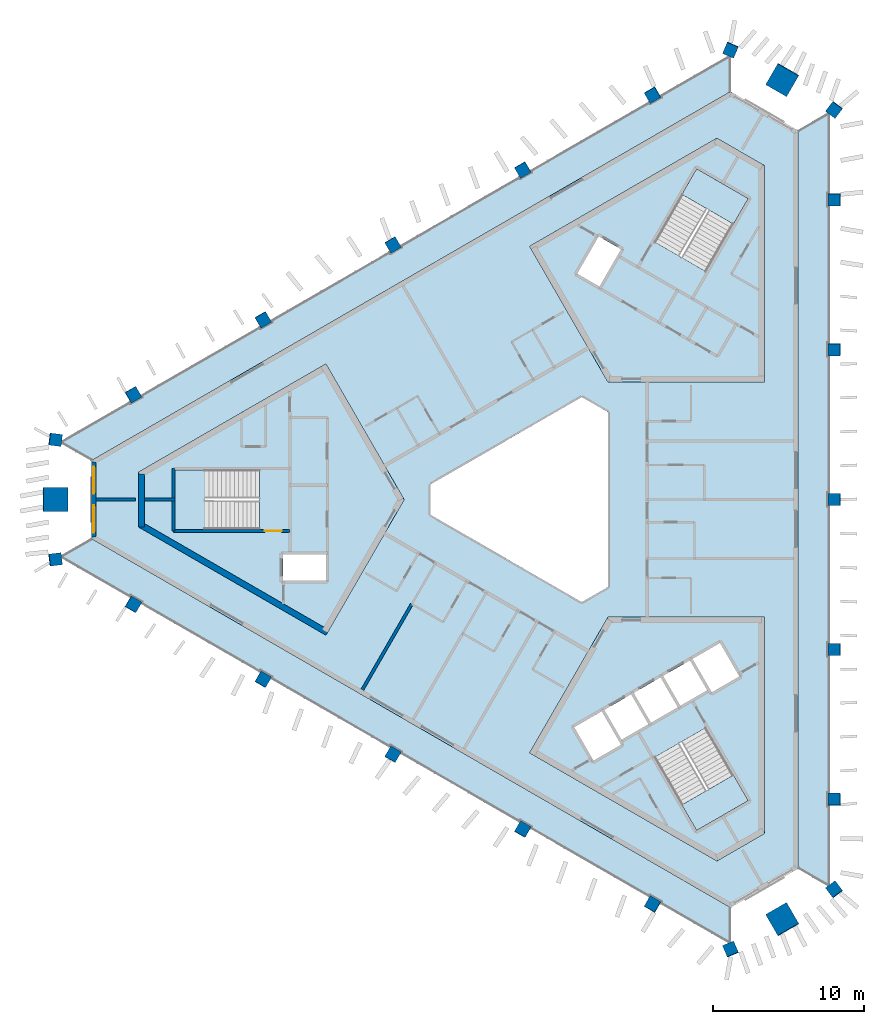
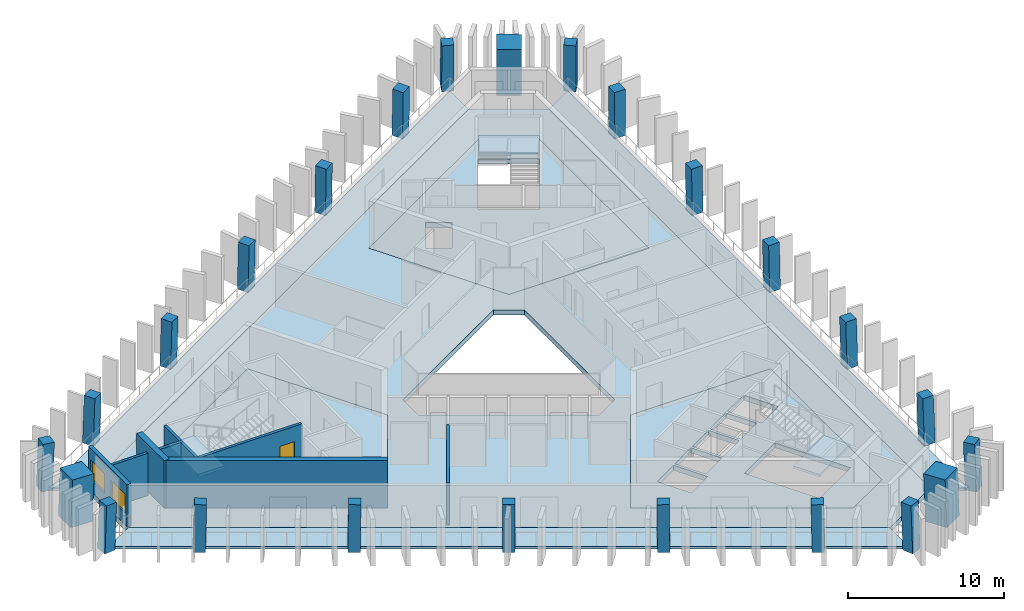
# One storey, part 1 of 10: 24 columns, 10 slabs, 8 walls, 2 windows, 1 door, 3 openings, 3 elements without a shape of their own.
"""IFC4 building model written with IfcOpenShell, lengths in metres."""

from ifc_helpers import new_model, si_unit, direction, frame, frame_2d, origin, origin_2d, place, context, subcontext, project, spatial, polyline, rectangle, outline, extrude, material, layer, layer_set, material_profile, profile_set, type_object, element, fill, aggregate, save


model = new_model("IFC4")

# Units and contexts
model_context = context("Model", 3, precision=1e-05, world=origin(), true_north=direction((0.0, 1.0)))
body_context = subcontext(model_context, "Body", "Model", "MODEL_VIEW")
ifc_project = project(units=[si_unit("LENGTHUNIT", "METRE"), si_unit("AREAUNIT", "SQUARE_METRE"), si_unit("VOLUMEUNIT", "CUBIC_METRE"), si_unit("PLANEANGLEUNIT", "RADIAN"), si_unit("MASSUNIT", "GRAM", prefix="KILO")], contexts=[model_context])

# Site, building, storey
site_placement = place(None, origin())
site = spatial("IfcSite", under=ifc_project, at=site_placement, CompositionType="ELEMENT")
building_placement = place(site_placement, origin())
building = spatial("IfcBuilding", under=site, at=building_placement, Name="Jabali Bay Hotel Tower and Convention Centre", CompositionType="ELEMENT")
storey_placement = place(building_placement, frame((0.0, 0.0, 255.300048828125)))
storey = spatial("IfcBuildingStorey", under=building, at=storey_placement, Name="L62", CompositionType="ELEMENT", Elevation=255.300048828125)

# Columns
ifc_material_1 = material(Name="Concrete C60", Category="concrete")
ifc_material_profile_1 = material_profile(ifc_material_1, rectangle(XDim=0.800048828125, YDim=0.800048828125, at=origin_2d()), Name="Frame column 800")
ifc_profile_set_1 = profile_set([ifc_material_profile_1], Name="Concrete C60")
column_type_1 = type_object("IfcColumnType", Name="Frame column 800", PredefinedType="COLUMN", material=ifc_profile_set_1)
column_1_placement = place(storey_placement, frame((82.461181640625, 106.825927734375, 0.0), z_axis=(-0.00837646992, -0.028097450282, 0.999570091609), x_axis=(0.866172944967, 0.499290516463, 0.0212934163)))
element("IfcColumn", 1, at=column_1_placement, inside=storey, type_object=column_type_1, Name="FC6 F1.1 L62", PredefinedType="COLUMN", context=body_context, shape_type="SweptSolid", body=[
    extrude(rectangle(XDim=0.800048828125, YDim=0.800048828125, at=origin_2d()), origin(), (0.0, 0.0, 1.0), 3.70166015625),
])
column_2_placement = place(storey_placement, frame((73.855224609375, 101.857421875, 0.0), z_axis=(0.000857578916, -0.022824792675, 0.999739112668), x_axis=(0.866060219769, 0.499825848733, 0.01066848966)))
element("IfcColumn", 2, at=column_2_placement, inside=storey, type_object=column_type_1, Name="FC6 F1.2 L62", PredefinedType="COLUMN", context=body_context, shape_type="SweptSolid", body=[
    extrude(rectangle(XDim=0.800048828125, YDim=0.800048828125, at=origin_2d()), origin(), (0.0, 0.0, 1.0), 3.700927734375),
])
column_3_placement = place(storey_placement, frame((65.249267578125, 96.888671875, 0.0), z_axis=(0.010093620709, -0.017482414954, 0.999796221231), x_axis=(0.86601685016, 0.500014815019, 2.20911e-07)))
element("IfcColumn", 3, at=column_3_placement, inside=storey, type_object=column_type_1, Name="FC6 F1.3 L62", PredefinedType="COLUMN", context=body_context, shape_type="SweptSolid", body=[
    extrude(rectangle(XDim=0.800048828125, YDim=0.800048828125, at=origin_2d()), origin(), (0.0, 0.0, 1.0), 3.70068359375),
])
column_4_placement = place(storey_placement, frame((56.643310546875, 91.920166015625, 0.0), z_axis=(0.019328516974, -0.012138044789, 0.999739504221), x_axis=(-0.500205614953, 0.865671455024, 0.020181048691)))
element("IfcColumn", 4, at=column_4_placement, inside=storey, type_object=column_type_1, Name="FC6 F1.4 L62", PredefinedType="COLUMN", context=body_context, shape_type="SweptSolid", body=[
    extrude(rectangle(XDim=0.800048828125, YDim=0.800048828125, at=origin_2d()), origin(), (0.0, 0.0, 1.0), 3.700927734375),
])
for number, where, z_axis, x_axis, name in (
    (5, (48.037353515625, 86.951416015625, 0.0), (0.02855911485, -0.006793507689, 0.999569019734), (-0.500407643461, 0.865554709988, 0.020180049142), "FC6 F1.5 L62"),
    (6, (48.037353515625, 73.048583984375, 0.0), (0.02855911485, 0.006793507689, 0.999569019734), (-0.865318766308, 0.500768301983, 0.021319953197), "FC6 F2.1 L62"),
):
    element("IfcColumn", number, at=place(storey_placement, frame(where, z_axis=z_axis, x_axis=x_axis)), inside=storey, type_object=column_type_1, Name=name, PredefinedType="COLUMN", context=body_context, shape_type="SweptSolid", body=[
        extrude(rectangle(XDim=0.800048828125, YDim=0.800048828125, at=origin_2d()), origin(), (0.0, 0.0, 1.0), 3.70166015625),
    ])
column_5_placement = place(storey_placement, frame((56.643310546875, 68.079833984375, 0.0), z_axis=(0.019328516974, 0.012138044789, 0.999739504221), x_axis=(-0.865690909737, 0.500465383244, 0.010660627254)))
element("IfcColumn", 7, at=column_5_placement, inside=storey, type_object=column_type_1, Name="FC6 F2.2 L62", PredefinedType="COLUMN", context=body_context, shape_type="SweptSolid", body=[
    extrude(rectangle(XDim=0.800048828125, YDim=0.800048828125, at=origin_2d()), origin(), (0.0, 0.0, 1.0), 3.700927734375),
])
column_6_placement = place(storey_placement, frame((65.249267578125, 63.111328125, 0.0), z_axis=(0.010093620709, 0.017482414954, 0.999796221231), x_axis=(-0.499912926478, -0.865840372083, 0.020187025823)))
element("IfcColumn", 8, at=column_6_placement, inside=storey, type_object=column_type_1, Name="FC6 F2.3 L62", PredefinedType="COLUMN", context=body_context, shape_type="SweptSolid", body=[
    extrude(rectangle(XDim=0.800048828125, YDim=0.800048828125, at=origin_2d()), origin(), (0.0, 0.0, 1.0), 3.70068359375),
])
column_7_placement = place(storey_placement, frame((73.855224609375, 58.142578125, 0.0), z_axis=(0.000857578916, 0.022824792675, 0.999739112668), x_axis=(-0.499938956565, -0.865825126557, 0.020196285069)))
element("IfcColumn", 9, at=column_7_placement, inside=storey, type_object=column_type_1, Name="FC6 F2.4 L62", PredefinedType="COLUMN", context=body_context, shape_type="SweptSolid", body=[
    extrude(rectangle(XDim=0.800048828125, YDim=0.800048828125, at=origin_2d()), origin(), (0.0, 0.0, 1.0), 3.700927734375),
])
for number, where, z_axis, x_axis, name in (
    (10, (82.461181640625, 53.174072265625, 0.0), (-0.00837646992, 0.028097450282, 0.999570091609), (-0.499674157986, -0.865978933611, 0.020154959265), "FC6 F2.5 L62"),
    (11, (94.50146484375, 60.12548828125, 0.0), (-0.020182659751, 0.021303918626, 0.999569308901), (0.000228267203, -0.99977282903, 0.021312865295), "FC6 F0.1 L62"),
):
    element("IfcColumn", number, at=place(storey_placement, frame(where, z_axis=z_axis, x_axis=x_axis)), inside=storey, type_object=column_type_1, Name=name, PredefinedType="COLUMN", context=body_context, shape_type="SweptSolid", body=[
        extrude(rectangle(XDim=0.800048828125, YDim=0.800048828125, at=origin_2d()), origin(), (0.0, 0.0, 1.0), 3.70166015625),
    ])
column_8_placement = place(storey_placement, frame((94.50146484375, 70.062744140625, 0.0), z_axis=(-0.020186102726, 0.010620792611, 0.999739826165), x_axis=(0.001532768534, -0.999942070948, 0.010653889845)))
element("IfcColumn", 12, at=column_8_placement, inside=storey, type_object=column_type_1, Name="FC6 F0.2 L62", PredefinedType="COLUMN", context=body_context, shape_type="SweptSolid", body=[
    extrude(rectangle(XDim=0.800048828125, YDim=0.800048828125, at=origin_2d()), origin(), (0.0, 0.0, 1.0), 3.700927734375),
])
column_9_placement = place(storey_placement, frame((94.50146484375, 80.0, 0.0), z_axis=(-0.020187241331, 0.0, 0.99979621688), x_axis=(0.0, -1.0, 0.0)))
element("IfcColumn", 13, at=column_9_placement, inside=storey, type_object=column_type_1, Name="FC6 F0.3 L62", PredefinedType="COLUMN", context=body_context, shape_type="SweptSolid", body=[
    extrude(rectangle(XDim=0.800048828125, YDim=0.800048828125, at=origin_2d()), origin(), (0.0, 0.0, 1.0), 3.70068359375),
])
column_10_placement = place(storey_placement, frame((94.50146484375, 89.937255859375, 0.0), z_axis=(-0.020186102726, -0.010620792611, 0.999739826165), x_axis=(0.999795064939, -0.001747430263, 0.020168654147)))
element("IfcColumn", 14, at=column_10_placement, inside=storey, type_object=column_type_1, Name="FC6 F0.4 L62", PredefinedType="COLUMN", context=body_context, shape_type="SweptSolid", body=[
    extrude(rectangle(XDim=0.800048828125, YDim=0.800048828125, at=origin_2d()), origin(), (0.0, 0.0, 1.0), 3.700927734375),
])
column_11_placement = place(storey_placement, frame((94.50146484375, 99.87451171875, 0.0), z_axis=(-0.020182659751, -0.021303918626, 0.999569308901), x_axis=(0.999796283319, -0.000658319199, 0.020173211851)))
element("IfcColumn", 15, at=column_11_placement, inside=storey, type_object=column_type_1, Name="FC6 F0.5 L62", PredefinedType="COLUMN", context=body_context, shape_type="SweptSolid", body=[
    extrude(rectangle(XDim=0.800048828125, YDim=0.800048828125, at=origin_2d()), origin(), (0.0, 0.0, 1.0), 3.70166015625),
])
for number, where, z_axis, x_axis, name in (
    (16, (94.50146484375, 54.153564453125, 0.0), (-0.020178741915, 0.029015184452, 0.999375273581), (-0.798375999725, -0.602157709474, 0.001362344853), "FC6 V0 L62"),
    (17, (94.50146484375, 105.846435546875, 0.0), (-0.020178741915, -0.029015184452, 0.999375273581), (0.601821054332, 0.797849742741, 0.035315811906), "FC6 V1 L62"),
    (18, (87.6328125, 109.81201171875, 0.0), (-0.015035141917, -0.031982648376, 0.99937533225), (0.920704420192, -0.390258266834, 0.001362279669), "FC6 V2 L62"),
    (19, (42.86572265625, 83.965576171875, 0.0), (0.03521388716, -0.002967462401, 0.999375393092), (-0.991868464302, 0.122270117487, 0.035312432545), "FC6 V3 L62"),
    (20, (42.86572265625, 76.034423828125, 0.0), (0.03521388716, 0.002967462401, 0.999375393092), (-0.122298535043, 0.992492424423, 0.001362273746), "FC6 V4 L62"),
    (21, (87.6328125, 50.18798828125, 0.0), (-0.015035141917, 0.031982648376, 0.99937533225), (0.389970915769, -0.920149767902, 0.035314154156), "FC6 V5 L62"),
):
    element("IfcColumn", number, at=place(storey_placement, frame(where, z_axis=z_axis, x_axis=x_axis)), inside=storey, type_object=column_type_1, Name=name, PredefinedType="COLUMN", context=body_context, shape_type="SweptSolid", body=[
        extrude(rectangle(XDim=0.800048828125, YDim=0.800048828125, at=origin_2d()), origin(), (0.0, 0.0, 1.0), 3.7021484375),
    ])
ifc_material_2 = material(Name="Concrete C70", Category="concrete")
ifc_material_profile_2 = material_profile(ifc_material_2, rectangle(XDim=1.60009765625, YDim=1.60009765625, at=origin_2d()), Name="Mega column 1600")
ifc_profile_set_2 = profile_set([ifc_material_profile_2], Name="Concrete C70")
column_type_2 = type_object("IfcColumnType", Name="Mega column 1600", PredefinedType="COLUMN", material=ifc_profile_set_2)
for number, where, z_axis, x_axis, name in (
    (22, (91.067138671875, 107.8291015625, 0.0), (-0.017607037296, -0.030466109479, 0.999380712447), (0.86581098392, -0.500371202332, 2.457e-09), "MC6 M1 L62"),
    (23, (42.86572265625, 80.0, 0.0), (0.035214042205, 0.0, 0.999379793288), (0.0, 1.0, 0.0), "MC6 M0 L62"),
    (24, (91.067138671875, 52.1708984375, 0.0), (-0.017607037296, 0.030466109479, 0.999380712447), (0.500061328599, -0.865274797998, 0.035187946645), "MC6 M2 L62"),
):
    element("IfcColumn", number, at=place(storey_placement, frame(where, z_axis=z_axis, x_axis=x_axis)), inside=storey, type_object=column_type_2, Name=name, PredefinedType="COLUMN", context=body_context, shape_type="SweptSolid", body=[
        extrude(rectangle(XDim=1.60009765625, YDim=1.60009765625, at=origin_2d()), origin(), (0.0, 0.0, 1.0), 3.7021484375),
    ])

# Slabs
ifc_material_3 = material(Name="Concrete C40", Category="concrete")
ifc_layer_1 = layer(ifc_material_3, 0.39990234375)
ifc_layer_set_1 = layer_set([ifc_layer_1], Name="Concrete C40")
slab_type_1 = type_object("IfcSlabType", Name="Core floor slab 400", PredefinedType="FLOOR", material=ifc_layer_set_1)
slab_1_placement = place(storey_placement, frame((0.0, 0.0, -0.400146484375)))
element("IfcSlab", 25, at=slab_1_placement, inside=storey, type_object=slab_type_1, Name="Core floor slab 1 L62", PredefinedType="FLOOR", context=body_context, shape_type="SweptSolid", body=[
    extrude(outline(polyline([(66.0, 80.0), (60.81005859375, 88.9892578125), (48.39697265625, 81.82275390625), (48.39697265625, 78.17724609375), (60.81005859375, 71.0107421875), (66.0, 80.0)]), holes=[polyline([(60.800048828125, 76.35009765625), (57.949951171875, 76.35009765625), (57.949951171875, 74.64990234375), (60.800048828125, 74.64990234375), (60.800048828125, 76.35009765625)]), polyline([(50.820068359375, 81.97509765625), (50.820068359375, 78.02490234375), (56.409912109375, 78.02490234375), (56.409912109375, 81.97509765625), (50.820068359375, 81.97509765625)])]), origin(), (0.0, 0.0, 1.0), 0.400146484375),
])
slab_2_placement = place(storey_placement, frame((0.0, 0.0, -0.400146484375)))
element("IfcSlab", 26, at=slab_2_placement, inside=storey, type_object=slab_type_1, Name="Core floor slab 2 L62", PredefinedType="FLOOR", context=body_context, shape_type="SweptSolid", body=[
    extrude(outline(polyline([(79.5, 87.794189453125), (89.8798828125, 87.794189453125), (89.8798828125, 102.127685546875), (86.72314453125, 103.9501953125), (74.31005859375, 96.78369140625), (79.5, 87.794189453125)]), holes=[polyline([(78.93896484375, 94.12255859375), (80.364013671875, 96.5908203125), (78.891845703125, 97.440673828125), (77.466796875, 94.97265625), (78.93896484375, 94.12255859375)]), polyline([(88.80029296875, 99.952880859375), (85.379638671875, 101.927978515625), (82.584716796875, 97.0869140625), (86.00537109375, 95.11181640625), (88.80029296875, 99.952880859375)])]), origin(), (0.0, 0.0, 1.0), 0.400146484375),
])
slab_3_placement = place(storey_placement, frame((0.0, 0.0, -0.400146484375)))
element("IfcSlab", 27, at=slab_3_placement, inside=storey, type_object=slab_type_1, Name="Core floor slab 3 L62", PredefinedType="FLOOR", context=body_context, shape_type="SweptSolid", body=[
    extrude(outline(polyline([(79.5, 72.205810546875), (74.31005859375, 63.21630859375), (86.72314453125, 56.0498046875), (89.8798828125, 57.872314453125), (89.8798828125, 72.205810546875), (79.5, 72.205810546875)]), holes=[polyline([(82.584716796875, 62.9130859375), (85.379638671875, 58.072021484375), (88.80029296875, 60.047119140625), (86.00537109375, 64.88818359375), (82.584716796875, 62.9130859375)]), polyline([(80.365478515625, 63.756591796875), (79.090576171875, 65.96484375), (77.27197265625, 64.9150390625), (78.546875, 62.70654296875), (80.365478515625, 63.756591796875)]), polyline([(82.17919921875, 65.115478515625), (81.0390625, 67.08984375), (79.263671875, 66.06494140625), (80.40380859375, 64.09033203125), (82.17919921875, 65.115478515625)]), polyline([(82.98779296875, 68.21484375), (81.21240234375, 67.18994140625), (82.352294921875, 65.21533203125), (84.127685546875, 66.240478515625), (82.98779296875, 68.21484375)]), polyline([(86.076171875, 67.365478515625), (84.936279296875, 69.33984375), (83.160888671875, 68.31494140625), (84.30078125, 66.34033203125), (86.076171875, 67.365478515625)]), polyline([(88.203125, 68.281494140625), (86.927978515625, 70.489990234375), (85.109375, 69.43994140625), (86.384521484375, 67.231689453125), (88.203125, 68.281494140625)])]), origin(), (0.0, 0.0, 1.0), 0.400146484375),
])
ifc_layer_2 = layer(ifc_material_3, 0.199951171875)
ifc_layer_set_2 = layer_set([ifc_layer_2], Name="Concrete C40")
slab_type_2 = type_object("IfcSlabType", Name="Loggia slab 200", PredefinedType="FLOOR", material=ifc_layer_set_2)
slab_4_placement = place(storey_placement, frame((0.0, 0.0, -0.199951171875)))
element("IfcSlab", 28, at=slab_4_placement, inside=storey, type_object=slab_type_2, Name="Loggia slab east face L62", PredefinedType="FLOOR", context=body_context, shape_type="SweptSolid", body=[
    extrude(outline(polyline([(92.101318359375, 104.460693359375), (94.125244140625, 105.629150390625), (94.201416015625, 105.571533203125), (94.201416015625, 100.274658203125), (94.101318359375, 100.274658203125), (94.101318359375, 99.474609375), (94.201416015625, 99.474609375), (94.201416015625, 90.33740234375), (94.101318359375, 90.33740234375), (94.101318359375, 89.537353515625), (94.201416015625, 89.537353515625), (94.201416015625, 80.39990234375), (94.101318359375, 80.39990234375), (94.101318359375, 79.60009765625), (94.201416015625, 79.60009765625), (94.201416015625, 70.462646484375), (94.101318359375, 70.462646484375), (94.101318359375, 69.66259765625), (94.201416015625, 69.66259765625), (94.201416015625, 60.525390625), (94.101318359375, 60.525390625), (94.101318359375, 59.725341796875), (94.201416015625, 59.725341796875), (94.201416015625, 54.428466796875), (94.125244140625, 54.370849609375), (92.101318359375, 55.539306640625), (92.101318359375, 104.460693359375)])), origin(), (0.0, 0.0, 1.0), 0.199951171875),
])
slab_5_placement = place(storey_placement, frame((0.0, 0.0, -0.199951171875)))
element("IfcSlab", 29, at=slab_5_placement, inside=storey, type_object=slab_type_2, Name="Loggia slab north-west face L62", PredefinedType="FLOOR", context=body_context, shape_type="SweptSolid", body=[
    extrude(outline(polyline([(45.265625, 82.579833984375), (43.241943359375, 83.748291015625), (43.253662109375, 83.843017578125), (47.841064453125, 86.49169921875), (47.890869140625, 86.405029296875), (48.583740234375, 86.804931640625), (48.53369140625, 86.8916015625), (56.447021484375, 91.460205078125), (56.496826171875, 91.373779296875), (57.189697265625, 91.773681640625), (57.1396484375, 91.8603515625), (65.052978515625, 96.428955078125), (65.102783203125, 96.34228515625), (65.795654296875, 96.742431640625), (65.74560546875, 96.828857421875), (73.658935546875, 101.3974609375), (73.708740234375, 101.31103515625), (74.401611328125, 101.7109375), (74.3515625, 101.797607421875), (82.264892578125, 106.3662109375), (82.314697265625, 106.279541015625), (83.007568359375, 106.6796875), (82.95751953125, 106.76611328125), (87.544921875, 109.414794921875), (87.6328125, 109.37744140625), (87.6328125, 107.04052734375), (45.265625, 82.579833984375)])), origin(), (0.0, 0.0, 1.0), 0.199951171875),
])
slab_6_placement = place(storey_placement, frame((0.0, 0.0, -0.199951171875)))
element("IfcSlab", 30, at=slab_6_placement, inside=storey, type_object=slab_type_2, Name="Loggia slab south-west face L62", PredefinedType="FLOOR", context=body_context, shape_type="SweptSolid", body=[
    extrude(outline(polyline([(87.6328125, 52.95947265625), (87.6328125, 50.62255859375), (87.544921875, 50.585205078125), (82.95751953125, 53.23388671875), (83.007568359375, 53.3203125), (82.314697265625, 53.720458984375), (82.264892578125, 53.6337890625), (74.3515625, 58.202392578125), (74.401611328125, 58.2890625), (73.708740234375, 58.68896484375), (73.658935546875, 58.6025390625), (65.74560546875, 63.171142578125), (65.795654296875, 63.257568359375), (65.102783203125, 63.65771484375), (65.052978515625, 63.571044921875), (57.1396484375, 68.1396484375), (57.189697265625, 68.226318359375), (56.496826171875, 68.626220703125), (56.447021484375, 68.539794921875), (48.53369140625, 73.1083984375), (48.583740234375, 73.195068359375), (47.890869140625, 73.594970703125), (47.841064453125, 73.50830078125), (43.253662109375, 76.156982421875), (43.241943359375, 76.251708984375), (45.265625, 77.420166015625), (87.6328125, 52.95947265625)])), origin(), (0.0, 0.0, 1.0), 0.199951171875),
])
ifc_layer_3 = layer(ifc_material_3, 0.39990234375)
ifc_layer_set_3 = layer_set([ifc_layer_3], Name="Concrete C40")
slab_type_3 = type_object("IfcSlabType", Name="Post-tensioned flat slab 400", PredefinedType="FLOOR", material=ifc_layer_set_3)
slab_7_placement = place(storey_placement, frame((0.0, 0.0, -0.400146484375)))
element("IfcSlab", 31, at=slab_7_placement, inside=storey, type_object=slab_type_3, Name="Floor slab L62", PredefinedType="FLOOR", context=body_context, shape_type="SweptSolid", body=[
    extrude(outline(polyline([(87.6328125, 107.04052734375), (92.101318359375, 104.460693359375), (92.101318359375, 55.539306640625), (87.6328125, 52.95947265625), (45.265625, 77.420166015625), (45.265625, 82.579833984375), (87.6328125, 107.04052734375)]), holes=[polyline([(67.73193359375, 79.0), (77.76806640625, 73.205810546875), (79.5, 74.205810546875), (79.5, 85.794189453125), (77.76806640625, 86.794189453125), (67.73193359375, 81.0), (67.73193359375, 79.0)]), polyline([(48.39697265625, 78.17724609375), (60.81005859375, 71.0107421875), (66.0, 80.0), (60.81005859375, 88.9892578125), (48.39697265625, 81.82275390625), (48.39697265625, 78.17724609375)]), polyline([(89.8798828125, 102.127685546875), (86.72314453125, 103.9501953125), (74.31005859375, 96.78369140625), (79.5, 87.794189453125), (89.8798828125, 87.794189453125), (89.8798828125, 102.127685546875)]), polyline([(74.31005859375, 63.21630859375), (86.72314453125, 56.0498046875), (89.8798828125, 57.872314453125), (89.8798828125, 72.205810546875), (79.5, 72.205810546875), (74.31005859375, 63.21630859375)])]), origin(), (0.0, 0.0, 1.0), 0.400146484375),
])

# Stair, slab
stair_type = type_object("IfcStairType", Name="Exit stair 1900", PredefinedType="HALF_TURN_STAIR", material=ifc_material_3)
stair_1_placement = place(storey_placement, origin())
stair_1 = element("IfcStair", 32, at=stair_1_placement, inside=storey, type_object=stair_type, Name="L62 Exit Stair 1", PredefinedType="HALF_TURN_STAIR")
ifc_layer_4 = layer(ifc_material_3, 0.199951171875)
ifc_layer_set_4 = layer_set([ifc_layer_4], Name="Concrete C40")
slab_type_4 = type_object("IfcSlabType", Name="Stair landing 200", PredefinedType="LANDING", material=ifc_layer_set_4)
slab_8_placement = place(storey_placement, frame((0.0, 0.0, 1.64990234375)))
slab_8 = element("IfcSlab", 33, at=slab_8_placement, type_object=slab_type_4, Name="ST1 landing 1", PredefinedType="LANDING", context=body_context, shape_type="SweptSolid", body=[
    extrude(outline(polyline([(52.782958984375, 81.97509765625), (50.820068359375, 81.97509765625), (50.820068359375, 78.02490234375), (52.782958984375, 78.02490234375), (52.782958984375, 81.97509765625)])), origin(), (0.0, 0.0, 1.0), 0.199951171875),
])
aggregate(stair_1, [slab_8])

stair_2_placement = place(storey_placement, origin())
stair_2 = element("IfcStair", 34, at=stair_2_placement, inside=storey, type_object=stair_type, Name="L62 Exit Stair 2", PredefinedType="HALF_TURN_STAIR")
slab_9_placement = place(storey_placement, frame((0.0, 0.0, 1.64990234375)))
slab_9 = element("IfcSlab", 35, at=slab_9_placement, type_object=slab_type_4, Name="ST2 landing 1", PredefinedType="LANDING", context=body_context, shape_type="SweptSolid", body=[
    extrude(outline(polyline([(87.81884765625, 98.2529296875), (88.80029296875, 99.952880859375), (85.379638671875, 101.927978515625), (84.398193359375, 100.22802734375), (87.81884765625, 98.2529296875)])), origin(), (0.0, 0.0, 1.0), 0.199951171875),
])
aggregate(stair_2, [slab_9])

stair_3_placement = place(storey_placement, origin())
stair_3 = element("IfcStair", 36, at=stair_3_placement, inside=storey, type_object=stair_type, Name="L62 Exit Stair 3", PredefinedType="HALF_TURN_STAIR")
slab_10_placement = place(storey_placement, frame((0.0, 0.0, 1.64990234375)))
slab_10 = element("IfcSlab", 37, at=slab_10_placement, type_object=slab_type_4, Name="ST3 landing 1", PredefinedType="LANDING", context=body_context, shape_type="SweptSolid", body=[
    extrude(outline(polyline([(84.398193359375, 59.77197265625), (85.379638671875, 58.072021484375), (88.80029296875, 60.047119140625), (87.81884765625, 61.7470703125), (84.398193359375, 59.77197265625)])), origin(), (0.0, 0.0, 1.0), 0.199951171875),
])
aggregate(stair_3, [slab_10])

# Wall
ifc_layer_5 = layer(ifc_material_3, 0.199951171875)
ifc_layer_set_5 = layer_set([ifc_layer_5], Name="Concrete C40")
wall_type_1 = type_object("IfcWallType", Name="Core partition wall 200", PredefinedType="PARTITIONING", material=ifc_layer_set_5)
wall_1_placement = place(storey_placement, frame((50.820068359375, 80.0, 0.0), z_axis=(0.0, 0.0, 1.0), x_axis=(-1.0, 0.0, 0.0)))
element("IfcWall", 38, at=wall_1_placement, inside=storey, type_object=wall_type_1, Name="Core wall 0.4 L62", PredefinedType="PARTITIONING", context=body_context, shape_type="SweptSolid", body=[
    extrude(rectangle(XDim=2.023193359375, YDim=0.199951171875, at=frame_2d((1.01171875, 0.0))), origin(), (0.0, 0.0, 1.0), 3.300048828125),
])

# Wall, opening, door
ifc_layer_6 = layer(ifc_material_3, 0.199951171875)
ifc_layer_set_6 = layer_set([ifc_layer_6], Name="Concrete C40")
wall_type_2 = type_object("IfcWallType", Name="Core stair wall 200", PredefinedType="SOLIDWALL", material=ifc_layer_set_6)
wall_2_placement = place(storey_placement, frame((58.419921875, 77.925048828125, 0.0), z_axis=(0.0, 0.0, 1.0), x_axis=(-1.0, 0.0, 0.0)))
wall_2 = element("IfcWall", 39, at=wall_2_placement, inside=storey, type_object=wall_type_2, Name="Core wall 0.5 L62", PredefinedType="SOLIDWALL", context=body_context, shape_type="SweptSolid", body=[
    extrude(rectangle(XDim=7.699951171875, YDim=0.199951171875, at=frame_2d((3.85009765625, 0.0))), origin(), (0.0, 0.0, 1.0), 3.300048828125),
])
opening_1_placement = place(wall_2_placement, frame((0.550048828125, 0.0, 0.0)))
opening_1 = element("IfcOpeningElement", 40, at=opening_1_placement, cuts=wall_2, Name="Opening D1358", PredefinedType="OPENING", context=body_context, shape_type="SweptSolid", body=[
    extrude(rectangle(XDim=1.10009765625, YDim=2.10009765625, at=frame_2d((0.550048828125, 1.050048828125))), frame((0.0, 0.1103515625, 0.0), z_axis=(0.0, -1.0, 0.0), x_axis=(1.0, 0.0, 0.0)), (0.0, 0.0, 1.0), 0.220947265625),
])
ifc_material_4 = material(Name="Fire-rated steel door", Category="steel")
door_type = type_object("IfcDoorType", Name="Stair fire door 1100 x 2100", OperationType="NOTDEFINED", PredefinedType="NOTDEFINED", material=ifc_material_4)
door_placement = place(opening_1_placement, origin())
door = element("IfcDoor", 41, at=door_placement, inside=storey, type_object=door_type, Name="Stair fire door D1358", OperationType="SINGLE_SWING_RIGHT", OverallHeight=2.10009765625, OverallWidth=1.10009765625, PredefinedType="NOTDEFINED", context=body_context, shape_type="SweptSolid", body=[
    extrude(rectangle(XDim=1.10009765625, YDim=2.10009765625, at=frame_2d((0.550048828125, 1.050048828125))), frame((0.0, 0.02490234375, 0.0), z_axis=(0.0, -1.0, 0.0), x_axis=(1.0, 0.0, 0.0)), (0.0, 0.0, 1.0), 0.050048828125),
])
fill(opening_1, door)

# Walls
wall_3_placement = place(storey_placement, frame((50.719970703125, 82.074951171875, 0.0), z_axis=(0.0, 0.0, 1.0), x_axis=(0.0, -1.0, 0.0)))
element("IfcWall", 42, at=wall_3_placement, inside=storey, type_object=wall_type_2, Name="Core wall 0.14 L62", PredefinedType="SOLIDWALL", context=body_context, shape_type="SweptSolid", body=[
    extrude(rectangle(XDim=4.14990234375, YDim=0.199951171875, at=frame_2d((2.074951171875, 0.0))), origin(), (0.0, 0.0, 1.0), 3.300048828125),
])
ifc_layer_7 = layer(ifc_material_1, 0.39990234375)
ifc_layer_set_7 = layer_set([ifc_layer_7], Name="Concrete C60")
wall_type_3 = type_object("IfcWallType", Name="Core wall 400", PredefinedType="SHEAR", material=ifc_layer_set_7)
wall_4_placement = place(storey_placement, frame((48.596923828125, 81.707275390625, 0.0), z_axis=(0.0, 0.0, 1.0), x_axis=(0.0, -1.0, 0.0)))
element("IfcWall", 43, at=wall_4_placement, inside=storey, type_object=wall_type_3, Name="Core wall 1.3 L62", PredefinedType="SHEAR", context=body_context, shape_type="SweptSolid", body=[
    extrude(rectangle(XDim=3.530029296875, YDim=0.39990234375, at=frame_2d((1.76513671875, 0.0))), origin(), (0.0, 0.0, 1.0), 3.699951171875),
])
wall_5_placement = place(storey_placement, frame((48.596923828125, 78.292724609375, 0.0), z_axis=(0.0, 0.0, 1.0), x_axis=(0.866026024469, -0.499998924941, 0.0)))
element("IfcWall", 44, at=wall_5_placement, inside=storey, type_object=wall_type_3, Name="Core wall 1.4 L62", PredefinedType="SHEAR", context=body_context, shape_type="SweptSolid", body=[
    extrude(rectangle(XDim=14.2177734375, YDim=0.39990234375, at=frame_2d((7.10888671875, 0.0))), origin(), (0.0, 0.0, 1.0), 3.699951171875),
])

# Wall, openings, windows
ifc_layer_8 = layer(ifc_material_3, 0.300048828125)
ifc_layer_set_8 = layer_set([ifc_layer_8], Name="Concrete C40")
wall_type_4 = type_object("IfcWallType", Name="External wall 300", PredefinedType="SOLIDWALL", material=ifc_layer_set_8)
wall_6_placement = place(storey_placement, frame((45.415771484375, 77.506591796875, 0.0), z_axis=(0.0, 0.0, 1.0), x_axis=(0.0, 1.0, 0.0)))
wall_6 = element("IfcWall", 45, at=wall_6_placement, inside=storey, type_object=wall_type_4, Name="External wall west chamfer L62", PredefinedType="SOLIDWALL", context=body_context, shape_type="SweptSolid", body=[
    extrude(rectangle(XDim=4.98681640625, YDim=0.300048828125, at=frame_2d((2.493408203125, 0.0))), origin(), (0.0, 0.0, 1.0), 3.300048828125),
])
opening_2_placement = place(wall_6_placement, frame((2.8828125, 0.0, 0.89990234375)))
opening_2 = element("IfcOpeningElement", 46, at=opening_2_placement, cuts=wall_6, Name="Opening W1", PredefinedType="OPENING", context=body_context, shape_type="SweptSolid", body=[
    extrude(rectangle(XDim=1.800048828125, YDim=1.5, at=frame_2d((0.89990234375, 0.75))), frame((0.0, 0.16064453125, 0.0), z_axis=(0.0, -1.0, 0.0), x_axis=(1.0, 0.0, 0.0)), (0.0, 0.0, 1.0), 0.321044921875),
])
opening_3_placement = place(wall_6_placement, frame((0.303955078125, 0.0, 0.89990234375)))
opening_3 = element("IfcOpeningElement", 47, at=opening_3_placement, cuts=wall_6, Name="Opening W1", PredefinedType="OPENING", context=body_context, shape_type="SweptSolid", body=[
    extrude(rectangle(XDim=1.800048828125, YDim=1.5, at=frame_2d((0.89990234375, 0.75))), frame((0.0, 0.16064453125, 0.0), z_axis=(0.0, -1.0, 0.0), x_axis=(1.0, 0.0, 0.0)), (0.0, 0.0, 1.0), 0.321044921875),
])
ifc_material_5 = material(Name="Glass", Category="glass")
window_type = type_object("IfcWindowType", Name="Window 1800 x 1500", PartitioningType="SINGLE_PANEL", PredefinedType="WINDOW", material=ifc_material_5)
window_1_placement = place(opening_2_placement, origin())
window_1 = element("IfcWindow", 48, at=window_1_placement, inside=storey, type_object=window_type, Name="Window 6206", OverallHeight=1.5, OverallWidth=1.800048828125, PartitioningType="SINGLE_PANEL", PredefinedType="WINDOW", context=body_context, shape_type="SweptSolid", body=[
    extrude(rectangle(XDim=1.800048828125, YDim=1.5, at=frame_2d((0.89990234375, 0.75))), frame((0.0, 0.030029296875, 0.0), z_axis=(0.0, -1.0, 0.0), x_axis=(1.0, 0.0, 0.0)), (0.0, 0.0, 1.0), 0.06005859375),
])
fill(opening_2, window_1)
window_2_placement = place(opening_3_placement, origin())
window_2 = element("IfcWindow", 49, at=window_2_placement, inside=storey, type_object=window_type, Name="Window 6207", OverallHeight=1.5, OverallWidth=1.800048828125, PartitioningType="SINGLE_PANEL", PredefinedType="WINDOW", context=body_context, shape_type="SweptSolid", body=[
    extrude(rectangle(XDim=1.800048828125, YDim=1.5, at=frame_2d((0.89990234375, 0.75))), frame((0.0, 0.030029296875, 0.0), z_axis=(0.0, -1.0, 0.0), x_axis=(1.0, 0.0, 0.0)), (0.0, 0.0, 1.0), 0.06005859375),
])
fill(opening_3, window_2)

# Walls
ifc_material_6 = material(Name="Plasterboard on steel stud", Category="steel")
ifc_layer_9 = layer(ifc_material_6, 0.199951171875)
ifc_layer_set_9 = layer_set([ifc_layer_9], Name="Plasterboard on steel stud")
wall_type_5 = type_object("IfcWallType", Name="Partition 200 party", PredefinedType="PARTITIONING", material=ifc_layer_set_9)
wall_7_placement = place(storey_placement, frame((45.564697265625, 80.0009765625, 0.0), z_axis=(0.0, 0.0, 1.0), x_axis=(1.0, 0.0, 0.0)))
element("IfcWall", 50, at=wall_7_placement, inside=storey, type_object=wall_type_5, Name="Partition P01 L62 024", PredefinedType="PARTITIONING", context=body_context, shape_type="SweptSolid", body=[
    extrude(rectangle(XDim=2.63330078125, YDim=0.199951171875, at=frame_2d((1.316650390625, 0.0))), origin(), (0.0, 0.0, 1.0), 3.300048828125),
])
wall_8_placement = place(storey_placement, frame((63.223876953125, 67.397216796875, 0.0), z_axis=(0.0, 0.0, 1.0), x_axis=(0.499983526171, 0.866034914745, 0.0)))
element("IfcWall", 51, at=wall_8_placement, inside=storey, type_object=wall_type_5, Name="Partition P01 L62 028", PredefinedType="PARTITIONING", context=body_context, shape_type="SweptSolid", body=[
    extrude(rectangle(XDim=6.556884765625, YDim=0.199951171875, at=frame_2d((3.2783203125, 0.0))), origin(), (0.0, 0.0, 1.0), 3.300048828125),
])

save(model, "model.ifc")
